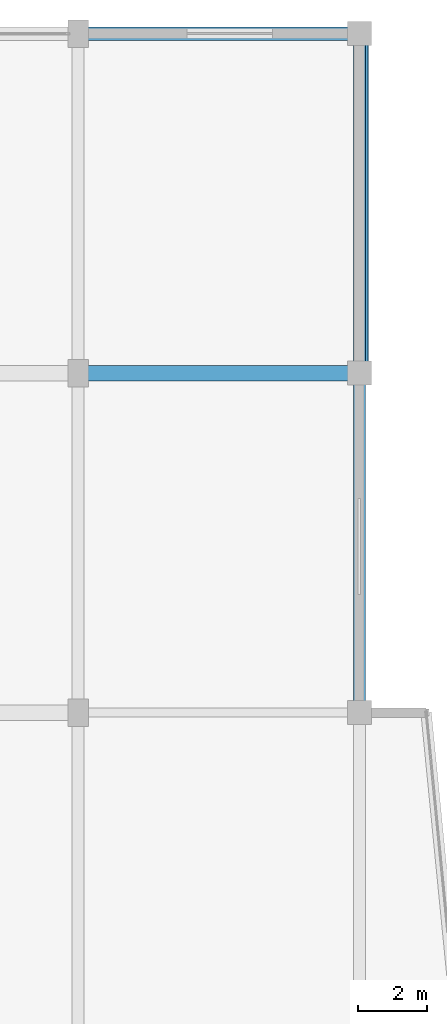
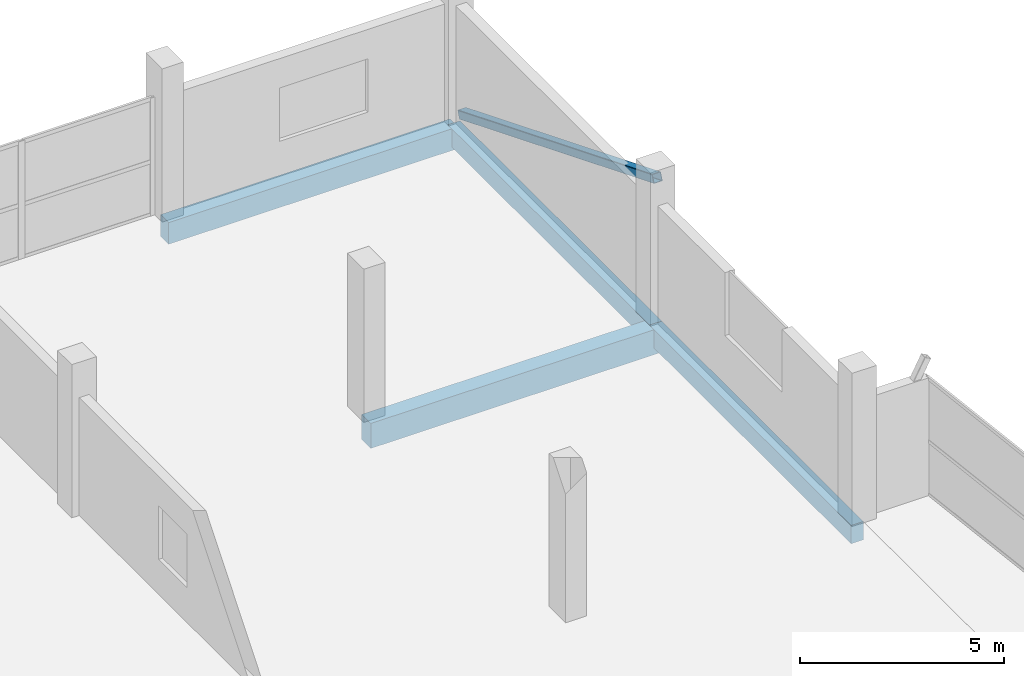
# One storey, part 36 of 55: 4 beams, 1 member.
"""IFC4 building model written with IfcOpenShell, lengths in metres."""

from ifc_helpers import new_model, si_unit, direction, frame, origin, origin_2d, place, context, subcontext, project, spatial, rectangle, hollow_rectangle, extrude, material, material_profile, profile_set, type_object, element, save


model = new_model("IFC4")

# Units and contexts
model_context = context("Model", 3, precision=1e-05, world=origin(), true_north=direction((0.0, 1.0)))
body_context = subcontext(model_context, "Body", "Model", "MODEL_VIEW")
ifc_project = project(units=[si_unit("LENGTHUNIT", "METRE"), si_unit("AREAUNIT", "SQUARE_METRE"), si_unit("VOLUMEUNIT", "CUBIC_METRE"), si_unit("PLANEANGLEUNIT", "RADIAN"), si_unit("MASSUNIT", "GRAM", prefix="KILO")], contexts=[model_context])

# Site, building, storey
site_placement = place(None, origin())
site = spatial("IfcSite", under=ifc_project, at=site_placement, CompositionType="ELEMENT")
building_placement = place(site_placement, origin())
building = spatial("IfcBuilding", under=site, at=building_placement, Name="Sillaruma Civic Art Gallery", CompositionType="ELEMENT")
storey_placement = place(building_placement, frame((0.0, 0.0, 37.739990234375)))
storey = spatial("IfcBuildingStorey", under=building, at=storey_placement, Name="L07", CompositionType="ELEMENT", Elevation=37.739990234375)

# Beams
ifc_material_1 = material(Name="Concrete H40 (40 MPa)", Category="concrete")
ifc_material_profile_1 = material_profile(ifc_material_1, rectangle(XDim=0.449951171875, YDim=0.75, at=origin_2d()), Name="RCB450x750")
ifc_profile_set_1 = profile_set([ifc_material_profile_1], Name="Concrete H40 (40 MPa)")
beam_type_1 = type_object("IfcBeamType", Name="BM-BEAM-RCB450x750", PredefinedType="BEAM", material=ifc_profile_set_1)
beam_1_placement = place(storey_placement, frame((106.199951171875, 89.10009765625, -0.614990234375), z_axis=(1.0, 0.0, 0.0), x_axis=(0.0, 1.0, 0.0)))
element("IfcBeam", 1, at=beam_1_placement, inside=storey, type_object=beam_type_1, Name="Beam BM-03 (L06:10:M-N)", PredefinedType="BEAM", context=body_context, shape_type="SweptSolid", body=[
    extrude(rectangle(XDim=0.449951171875, YDim=0.75, at=origin_2d()), origin(), (0.0, 0.0, 1.0), 8.199951171875),
])
ifc_material_2 = material(Name="Concrete H35 (35 MPa)", Category="concrete")
ifc_material_profile_2 = material_profile(ifc_material_2, rectangle(XDim=0.35009765625, YDim=0.550048828125, at=origin_2d()), Name="RCB350x550")
ifc_profile_set_2 = profile_set([ifc_material_profile_2], Name="Concrete H35 (35 MPa)")
beam_type_2 = type_object("IfcBeamType", Name="BM-SPANDREL-RCB350x550", PredefinedType="SPANDREL", material=ifc_profile_set_2)
beam_2_placement = place(storey_placement, frame((114.39990234375, 79.199951171875, -0.514892578125), z_axis=(0.0, 1.0, 0.0), x_axis=(-1.0, 0.0, 0.0)))
element("IfcBeam", 2, at=beam_2_placement, inside=storey, type_object=beam_type_2, Name="Beam BS-04 (L06:N:9-10)", PredefinedType="SPANDREL", context=body_context, shape_type="SweptSolid", body=[
    extrude(rectangle(XDim=0.35009765625, YDim=0.550048828125, at=origin_2d()), origin(), (0.0, 0.0, 1.0), 9.900146484375),
])
beam_3_placement = place(storey_placement, frame((114.39990234375, 89.10009765625, -0.514892578125), z_axis=(0.0, 1.0, 0.0), x_axis=(-1.0, 0.0, 0.0)))
element("IfcBeam", 3, at=beam_3_placement, inside=storey, type_object=beam_type_2, Name="Beam BS-04 (L06:N:10-11)", PredefinedType="SPANDREL", context=body_context, shape_type="SweptSolid", body=[
    extrude(rectangle(XDim=0.35009765625, YDim=0.550048828125, at=origin_2d()), origin(), (0.0, 0.0, 1.0), 9.89990234375),
])
ifc_material_profile_3 = material_profile(ifc_material_2, rectangle(XDim=0.39990234375, YDim=0.64990234375, at=origin_2d()), Name="RCB400x650")
ifc_profile_set_3 = profile_set([ifc_material_profile_3], Name="Concrete H35 (35 MPa)")
beam_type_3 = type_object("IfcBeamType", Name="BM-SPANDREL-RCB400x650", PredefinedType="SPANDREL", material=ifc_profile_set_3)
beam_4_placement = place(storey_placement, frame((106.199951171875, 99.0, -0.56494140625), z_axis=(1.0, 0.0, 0.0), x_axis=(0.0, 1.0, 0.0)))
element("IfcBeam", 4, at=beam_4_placement, inside=storey, type_object=beam_type_3, Name="Beam BS-02 (L06:11:M-N)", PredefinedType="SPANDREL", context=body_context, shape_type="SweptSolid", body=[
    extrude(rectangle(XDim=0.39990234375, YDim=0.64990234375, at=origin_2d()), origin(), (0.0, 0.0, 1.0), 8.199951171875),
])

# Member
ifc_material_3 = material(Name="Structural Steel ASTM A500 Gr.C", Category="steel")
ifc_material_profile_4 = material_profile(ifc_material_3, hollow_rectangle(XDim=0.25, YDim=0.25, WallThickness=0.012451171875, InnerFilletRadius=0.012451171875, OuterFilletRadius=0.02490234375, at=origin_2d()), Name="HSS250x250x12.5")
ifc_profile_set_4 = profile_set([ifc_material_profile_4], Name="Structural Steel ASTM A500 Gr.C")
member_type = type_object("IfcMemberType", Name="MEM-MEGA-BRACE", PredefinedType="BRACE", material=ifc_profile_set_4)
member_placement = place(storey_placement, frame((114.550048828125, 98.820068359375, 0.10009765625), z_axis=(0.0, -0.927000235478, 0.375060746312), x_axis=(1.0, 0.0, 0.0)))
element("IfcMember", 5, at=member_placement, inside=storey, type_object=member_type, Name="Exterior Expressed Gallery Seismic Diagonal Brace (L07-EN)", PredefinedType="BRACE", context=body_context, shape_type="SweptSolid", body=[
    extrude(hollow_rectangle(XDim=0.25, YDim=0.25, WallThickness=0.012451171875, InnerFilletRadius=0.012451171875, OuterFilletRadius=0.02490234375, at=origin_2d()), origin(), (0.0, 0.0, 1.0), 10.291259765625),
])

save(model, "model.ifc")
